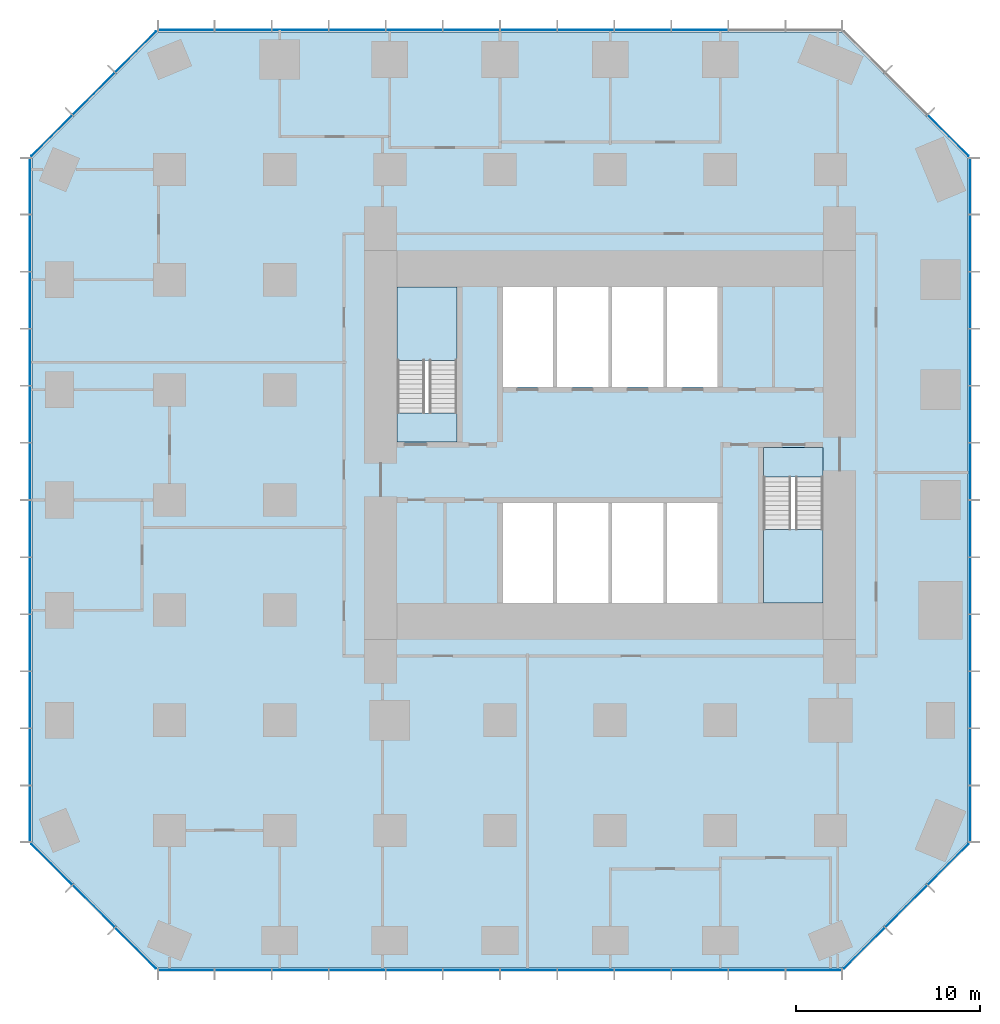
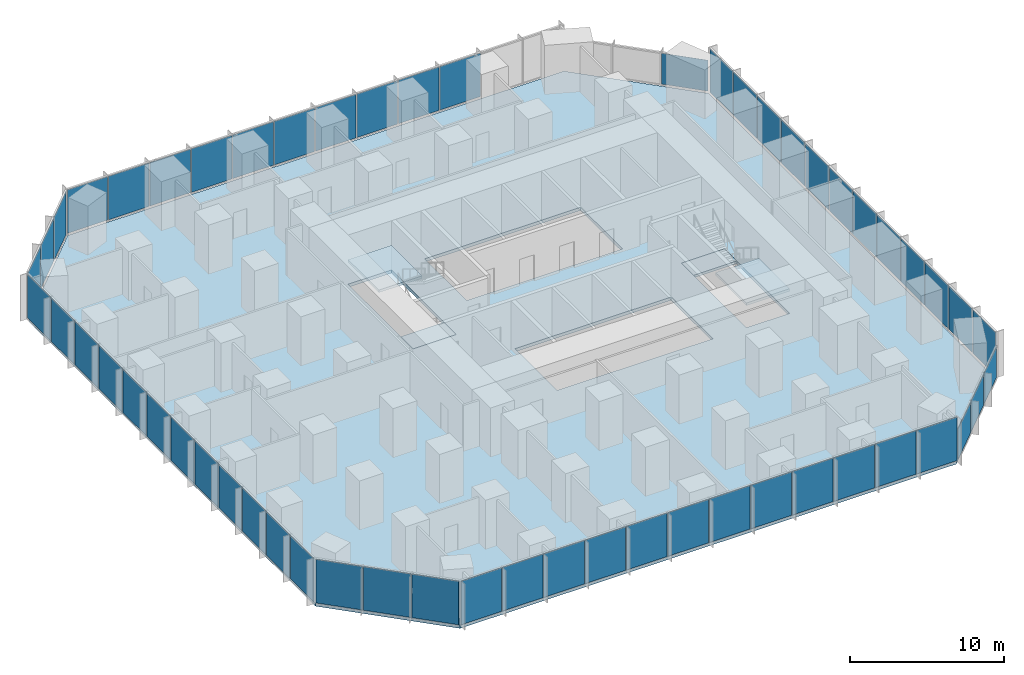
# One storey, part 7 of 12: 56 plates, 5 slabs, 10 elements without a shape of their own.
"""IFC4 building model written with IfcOpenShell, lengths in metres."""

from ifc_helpers import new_model, si_unit, direction, frame, origin, origin_2d, place, context, subcontext, project, spatial, polyline, rectangle, outline, extrude, material, layer, layer_set, type_object, element, aggregate, save


model = new_model("IFC4")

# Units and contexts
model_context = context("Model", 3, precision=1e-05, world=origin(), true_north=direction((0.0, 1.0)))
body_context = subcontext(model_context, "Body", "Model", "MODEL_VIEW")
ifc_project = project(units=[si_unit("LENGTHUNIT", "METRE"), si_unit("AREAUNIT", "SQUARE_METRE"), si_unit("VOLUMEUNIT", "CUBIC_METRE"), si_unit("PLANEANGLEUNIT", "RADIAN"), si_unit("MASSUNIT", "GRAM", prefix="KILO")], contexts=[model_context])

# Site, building, storey
site_placement = place(None, origin())
site = spatial("IfcSite", under=ifc_project, at=site_placement, CompositionType="ELEMENT")
building_placement = place(site_placement, origin())
building = spatial("IfcBuilding", under=site, at=building_placement, Name="Highveld Stack Headquarters", CompositionType="ELEMENT")
storey_placement = place(building_placement, frame((0.0, 0.0, 37.699951171875)))
storey = spatial("IfcBuildingStorey", under=building, at=storey_placement, Name="L08", CompositionType="ELEMENT", Elevation=37.699951171875)

# Curtain wall, plates
ifc_material_1 = material(Name="Aluminium bronze anodised", Category="aluminium")
ifc_layer_1 = layer(ifc_material_1, 0.199951171875)
ifc_layer_set_1 = layer_set([ifc_layer_1], Name="Aluminium bronze anodised")
curtain_wall_type_1 = type_object("IfcCurtainWallType", Name="CW1 TOWER UNITISED CURTAIN WALL", PredefinedType="NOTDEFINED", material=ifc_layer_set_1)
curtain_wall_1_placement = place(storey_placement, origin())
curtain_wall_1 = element("IfcCurtainWall", 1, at=curtain_wall_1_placement, inside=storey, type_object=curtain_wall_type_1, Name="Curtain wall CW1 L08 S", PredefinedType="NOTDEFINED")
ifc_material_2 = material(Name="Glass bronze tinted double glazed unit", Category="glass")
ifc_layer_2 = layer(ifc_material_2, 0.028076171875)
ifc_layer_set_2 = layer_set([ifc_layer_2], Name="Glass bronze tinted double glazed unit")
plate_type_1 = type_object("IfcPlateType", Name="CW1 PANEL BRONZE TINTED DOUBLE GLAZED UNIT", PredefinedType="CURTAIN_PANEL", material=ifc_layer_set_2)
plate_1_placement = place(storey_placement, frame((-17.09130859375, -25.60009765625, 0.10009765625), z_axis=(0.0, 0.0, 1.0), x_axis=(1.0, 0.0, 0.0)))
plate_1 = element("IfcPlate", 2, at=plate_1_placement, type_object=plate_type_1, Name="CW1 panel L08 1.1", PredefinedType="CURTAIN_PANEL", context=body_context, shape_type="SweptSolid", body=[
    extrude(rectangle(XDim=3.012939453125, YDim=0.028076171875, at=origin_2d()), origin(), (0.0, 0.0, 1.0), 3.449951171875),
])
plate_2_placement = place(storey_placement, frame((-13.9970703125, -25.60009765625, 0.10009765625), z_axis=(0.0, 0.0, 1.0), x_axis=(1.0, 0.0, 0.0)))
plate_2 = element("IfcPlate", 3, at=plate_2_placement, type_object=plate_type_1, Name="CW1 panel L08 2.1", PredefinedType="CURTAIN_PANEL", context=body_context, shape_type="SweptSolid", body=[
    extrude(rectangle(XDim=3.04541015625, YDim=0.028076171875, at=origin_2d()), origin(), (0.0, 0.0, 1.0), 3.449951171875),
])
plate_3_placement = place(storey_placement, frame((-10.88671875, -25.60009765625, 0.10009765625), z_axis=(0.0, 0.0, 1.0), x_axis=(1.0, 0.0, 0.0)))
plate_3 = element("IfcPlate", 4, at=plate_3_placement, type_object=plate_type_1, Name="CW1 panel L08 3.1", PredefinedType="CURTAIN_PANEL", context=body_context, shape_type="SweptSolid", body=[
    extrude(rectangle(XDim=3.04541015625, YDim=0.028076171875, at=origin_2d()), origin(), (0.0, 0.0, 1.0), 3.449951171875),
])
plate_4_placement = place(storey_placement, frame((-7.776123046875, -25.60009765625, 0.10009765625), z_axis=(0.0, 0.0, 1.0), x_axis=(1.0, 0.0, 0.0)))
plate_4 = element("IfcPlate", 5, at=plate_4_placement, type_object=plate_type_1, Name="CW1 panel L08 4.1", PredefinedType="CURTAIN_PANEL", context=body_context, shape_type="SweptSolid", body=[
    extrude(rectangle(XDim=3.04541015625, YDim=0.028076171875, at=origin_2d()), origin(), (0.0, 0.0, 1.0), 3.449951171875),
])
plate_5_placement = place(storey_placement, frame((-4.665771484375, -25.60009765625, 0.10009765625), z_axis=(0.0, 0.0, 1.0), x_axis=(1.0, 0.0, 0.0)))
plate_5 = element("IfcPlate", 6, at=plate_5_placement, type_object=plate_type_1, Name="CW1 panel L08 5.1", PredefinedType="CURTAIN_PANEL", context=body_context, shape_type="SweptSolid", body=[
    extrude(rectangle(XDim=3.04541015625, YDim=0.028076171875, at=origin_2d()), origin(), (0.0, 0.0, 1.0), 3.449951171875),
])
plate_6_placement = place(storey_placement, frame((-1.55517578125, -25.60009765625, 0.10009765625), z_axis=(0.0, 0.0, 1.0), x_axis=(1.0, 0.0, 0.0)))
plate_6 = element("IfcPlate", 7, at=plate_6_placement, type_object=plate_type_1, Name="CW1 panel L08 6.1", PredefinedType="CURTAIN_PANEL", context=body_context, shape_type="SweptSolid", body=[
    extrude(rectangle(XDim=3.04541015625, YDim=0.028076171875, at=origin_2d()), origin(), (0.0, 0.0, 1.0), 3.449951171875),
])
plate_7_placement = place(storey_placement, frame((1.55517578125, -25.60009765625, 0.10009765625), z_axis=(0.0, 0.0, 1.0), x_axis=(1.0, 0.0, 0.0)))
plate_7 = element("IfcPlate", 8, at=plate_7_placement, type_object=plate_type_1, Name="CW1 panel L08 7.1", PredefinedType="CURTAIN_PANEL", context=body_context, shape_type="SweptSolid", body=[
    extrude(rectangle(XDim=3.04541015625, YDim=0.028076171875, at=origin_2d()), origin(), (0.0, 0.0, 1.0), 3.449951171875),
])
plate_8_placement = place(storey_placement, frame((4.665771484375, -25.60009765625, 0.10009765625), z_axis=(0.0, 0.0, 1.0), x_axis=(1.0, 0.0, 0.0)))
plate_8 = element("IfcPlate", 9, at=plate_8_placement, type_object=plate_type_1, Name="CW1 panel L08 8.1", PredefinedType="CURTAIN_PANEL", context=body_context, shape_type="SweptSolid", body=[
    extrude(rectangle(XDim=3.04541015625, YDim=0.028076171875, at=origin_2d()), origin(), (0.0, 0.0, 1.0), 3.449951171875),
])
plate_9_placement = place(storey_placement, frame((7.776123046875, -25.60009765625, 0.10009765625), z_axis=(0.0, 0.0, 1.0), x_axis=(1.0, 0.0, 0.0)))
plate_9 = element("IfcPlate", 10, at=plate_9_placement, type_object=plate_type_1, Name="CW1 panel L08 9.1", PredefinedType="CURTAIN_PANEL", context=body_context, shape_type="SweptSolid", body=[
    extrude(rectangle(XDim=3.04541015625, YDim=0.028076171875, at=origin_2d()), origin(), (0.0, 0.0, 1.0), 3.449951171875),
])
plate_10_placement = place(storey_placement, frame((10.88671875, -25.60009765625, 0.10009765625), z_axis=(0.0, 0.0, 1.0), x_axis=(1.0, 0.0, 0.0)))
plate_10 = element("IfcPlate", 11, at=plate_10_placement, type_object=plate_type_1, Name="CW1 panel L08 10.1", PredefinedType="CURTAIN_PANEL", context=body_context, shape_type="SweptSolid", body=[
    extrude(rectangle(XDim=3.04541015625, YDim=0.028076171875, at=origin_2d()), origin(), (0.0, 0.0, 1.0), 3.449951171875),
])
plate_11_placement = place(storey_placement, frame((13.9970703125, -25.60009765625, 0.10009765625), z_axis=(0.0, 0.0, 1.0), x_axis=(1.0, 0.0, 0.0)))
plate_11 = element("IfcPlate", 12, at=plate_11_placement, type_object=plate_type_1, Name="CW1 panel L08 11.1", PredefinedType="CURTAIN_PANEL", context=body_context, shape_type="SweptSolid", body=[
    extrude(rectangle(XDim=3.04541015625, YDim=0.028076171875, at=origin_2d()), origin(), (0.0, 0.0, 1.0), 3.449951171875),
])
plate_12_placement = place(storey_placement, frame((17.09130859375, -25.60009765625, 0.10009765625), z_axis=(0.0, 0.0, 1.0), x_axis=(1.0, 0.0, 0.0)))
plate_12 = element("IfcPlate", 13, at=plate_12_placement, type_object=plate_type_1, Name="CW1 panel L08 12.1", PredefinedType="CURTAIN_PANEL", context=body_context, shape_type="SweptSolid", body=[
    extrude(rectangle(XDim=3.012939453125, YDim=0.028076171875, at=origin_2d()), origin(), (0.0, 0.0, 1.0), 3.449951171875),
])
aggregate(curtain_wall_1, [plate_1, plate_2, plate_3, plate_4, plate_5, plate_6, plate_7, plate_8, plate_9, plate_10, plate_11, plate_12])

curtain_wall_2_placement = place(storey_placement, origin())
curtain_wall_2 = element("IfcCurtainWall", 14, at=curtain_wall_2_placement, inside=storey, type_object=curtain_wall_type_1, Name="Curtain wall CW1 L08 E", PredefinedType="NOTDEFINED")
plate_13_placement = place(storey_placement, frame((25.60009765625, -17.09130859375, 0.10009765625), z_axis=(0.0, 0.0, 1.0), x_axis=(0.0, 1.0, 0.0)))
plate_13 = element("IfcPlate", 15, at=plate_13_placement, type_object=plate_type_1, Name="CW1 panel L08 1.1", PredefinedType="CURTAIN_PANEL", context=body_context, shape_type="SweptSolid", body=[
    extrude(rectangle(XDim=3.012939453125, YDim=0.028076171875, at=origin_2d()), origin(), (0.0, 0.0, 1.0), 3.449951171875),
])
plate_14_placement = place(storey_placement, frame((25.60009765625, -13.9970703125, 0.10009765625), z_axis=(0.0, 0.0, 1.0), x_axis=(0.0, 1.0, 0.0)))
plate_14 = element("IfcPlate", 16, at=plate_14_placement, type_object=plate_type_1, Name="CW1 panel L08 2.1", PredefinedType="CURTAIN_PANEL", context=body_context, shape_type="SweptSolid", body=[
    extrude(rectangle(XDim=3.04541015625, YDim=0.028076171875, at=origin_2d()), origin(), (0.0, 0.0, 1.0), 3.449951171875),
])
plate_15_placement = place(storey_placement, frame((25.60009765625, -10.88671875, 0.10009765625), z_axis=(0.0, 0.0, 1.0), x_axis=(0.0, 1.0, 0.0)))
plate_15 = element("IfcPlate", 17, at=plate_15_placement, type_object=plate_type_1, Name="CW1 panel L08 3.1", PredefinedType="CURTAIN_PANEL", context=body_context, shape_type="SweptSolid", body=[
    extrude(rectangle(XDim=3.04541015625, YDim=0.028076171875, at=origin_2d()), origin(), (0.0, 0.0, 1.0), 3.449951171875),
])
plate_16_placement = place(storey_placement, frame((25.60009765625, -7.776123046875, 0.10009765625), z_axis=(0.0, 0.0, 1.0), x_axis=(0.0, 1.0, 0.0)))
plate_16 = element("IfcPlate", 18, at=plate_16_placement, type_object=plate_type_1, Name="CW1 panel L08 4.1", PredefinedType="CURTAIN_PANEL", context=body_context, shape_type="SweptSolid", body=[
    extrude(rectangle(XDim=3.04541015625, YDim=0.028076171875, at=origin_2d()), origin(), (0.0, 0.0, 1.0), 3.449951171875),
])
plate_17_placement = place(storey_placement, frame((25.60009765625, -4.665771484375, 0.10009765625), z_axis=(0.0, 0.0, 1.0), x_axis=(0.0, 1.0, 0.0)))
plate_17 = element("IfcPlate", 19, at=plate_17_placement, type_object=plate_type_1, Name="CW1 panel L08 5.1", PredefinedType="CURTAIN_PANEL", context=body_context, shape_type="SweptSolid", body=[
    extrude(rectangle(XDim=3.04541015625, YDim=0.028076171875, at=origin_2d()), origin(), (0.0, 0.0, 1.0), 3.449951171875),
])
plate_18_placement = place(storey_placement, frame((25.60009765625, -1.55517578125, 0.10009765625), z_axis=(0.0, 0.0, 1.0), x_axis=(0.0, 1.0, 0.0)))
plate_18 = element("IfcPlate", 20, at=plate_18_placement, type_object=plate_type_1, Name="CW1 panel L08 6.1", PredefinedType="CURTAIN_PANEL", context=body_context, shape_type="SweptSolid", body=[
    extrude(rectangle(XDim=3.04541015625, YDim=0.028076171875, at=origin_2d()), origin(), (0.0, 0.0, 1.0), 3.449951171875),
])
plate_19_placement = place(storey_placement, frame((25.60009765625, 1.55517578125, 0.10009765625), z_axis=(0.0, 0.0, 1.0), x_axis=(0.0, 1.0, 0.0)))
plate_19 = element("IfcPlate", 21, at=plate_19_placement, type_object=plate_type_1, Name="CW1 panel L08 7.1", PredefinedType="CURTAIN_PANEL", context=body_context, shape_type="SweptSolid", body=[
    extrude(rectangle(XDim=3.04541015625, YDim=0.028076171875, at=origin_2d()), origin(), (0.0, 0.0, 1.0), 3.449951171875),
])
plate_20_placement = place(storey_placement, frame((25.60009765625, 4.665771484375, 0.10009765625), z_axis=(0.0, 0.0, 1.0), x_axis=(0.0, 1.0, 0.0)))
plate_20 = element("IfcPlate", 22, at=plate_20_placement, type_object=plate_type_1, Name="CW1 panel L08 8.1", PredefinedType="CURTAIN_PANEL", context=body_context, shape_type="SweptSolid", body=[
    extrude(rectangle(XDim=3.04541015625, YDim=0.028076171875, at=origin_2d()), origin(), (0.0, 0.0, 1.0), 3.449951171875),
])
plate_21_placement = place(storey_placement, frame((25.60009765625, 7.776123046875, 0.10009765625), z_axis=(0.0, 0.0, 1.0), x_axis=(0.0, 1.0, 0.0)))
plate_21 = element("IfcPlate", 23, at=plate_21_placement, type_object=plate_type_1, Name="CW1 panel L08 9.1", PredefinedType="CURTAIN_PANEL", context=body_context, shape_type="SweptSolid", body=[
    extrude(rectangle(XDim=3.04541015625, YDim=0.028076171875, at=origin_2d()), origin(), (0.0, 0.0, 1.0), 3.449951171875),
])
plate_22_placement = place(storey_placement, frame((25.60009765625, 10.88671875, 0.10009765625), z_axis=(0.0, 0.0, 1.0), x_axis=(0.0, 1.0, 0.0)))
plate_22 = element("IfcPlate", 24, at=plate_22_placement, type_object=plate_type_1, Name="CW1 panel L08 10.1", PredefinedType="CURTAIN_PANEL", context=body_context, shape_type="SweptSolid", body=[
    extrude(rectangle(XDim=3.04541015625, YDim=0.028076171875, at=origin_2d()), origin(), (0.0, 0.0, 1.0), 3.449951171875),
])
plate_23_placement = place(storey_placement, frame((25.60009765625, 13.9970703125, 0.10009765625), z_axis=(0.0, 0.0, 1.0), x_axis=(0.0, 1.0, 0.0)))
plate_23 = element("IfcPlate", 25, at=plate_23_placement, type_object=plate_type_1, Name="CW1 panel L08 11.1", PredefinedType="CURTAIN_PANEL", context=body_context, shape_type="SweptSolid", body=[
    extrude(rectangle(XDim=3.04541015625, YDim=0.028076171875, at=origin_2d()), origin(), (0.0, 0.0, 1.0), 3.449951171875),
])
plate_24_placement = place(storey_placement, frame((25.60009765625, 17.09130859375, 0.10009765625), z_axis=(0.0, 0.0, 1.0), x_axis=(0.0, 1.0, 0.0)))
plate_24 = element("IfcPlate", 26, at=plate_24_placement, type_object=plate_type_1, Name="CW1 panel L08 12.1", PredefinedType="CURTAIN_PANEL", context=body_context, shape_type="SweptSolid", body=[
    extrude(rectangle(XDim=3.012939453125, YDim=0.028076171875, at=origin_2d()), origin(), (0.0, 0.0, 1.0), 3.449951171875),
])
aggregate(curtain_wall_2, [plate_13, plate_14, plate_15, plate_16, plate_17, plate_18, plate_19, plate_20, plate_21, plate_22, plate_23, plate_24])

curtain_wall_3_placement = place(storey_placement, origin())
curtain_wall_3 = element("IfcCurtainWall", 27, at=curtain_wall_3_placement, inside=storey, type_object=curtain_wall_type_1, Name="Curtain wall CW1 L08 N", PredefinedType="NOTDEFINED")
plate_25_placement = place(storey_placement, frame((10.88671875, 25.60009765625, 0.10009765625), z_axis=(0.0, 0.0, 1.0), x_axis=(-1.0, 0.0, 0.0)))
plate_25 = element("IfcPlate", 28, at=plate_25_placement, type_object=plate_type_1, Name="CW1 panel L08 3.1", PredefinedType="CURTAIN_PANEL", context=body_context, shape_type="SweptSolid", body=[
    extrude(rectangle(XDim=3.04541015625, YDim=0.028076171875, at=origin_2d()), origin(), (0.0, 0.0, 1.0), 3.449951171875),
])
plate_26_placement = place(storey_placement, frame((7.776123046875, 25.60009765625, 0.10009765625), z_axis=(0.0, 0.0, 1.0), x_axis=(-1.0, 0.0, 0.0)))
plate_26 = element("IfcPlate", 29, at=plate_26_placement, type_object=plate_type_1, Name="CW1 panel L08 4.1", PredefinedType="CURTAIN_PANEL", context=body_context, shape_type="SweptSolid", body=[
    extrude(rectangle(XDim=3.04541015625, YDim=0.028076171875, at=origin_2d()), origin(), (0.0, 0.0, 1.0), 3.449951171875),
])
plate_27_placement = place(storey_placement, frame((4.665771484375, 25.60009765625, 0.10009765625), z_axis=(0.0, 0.0, 1.0), x_axis=(-1.0, 0.0, 0.0)))
plate_27 = element("IfcPlate", 30, at=plate_27_placement, type_object=plate_type_1, Name="CW1 panel L08 5.1", PredefinedType="CURTAIN_PANEL", context=body_context, shape_type="SweptSolid", body=[
    extrude(rectangle(XDim=3.04541015625, YDim=0.028076171875, at=origin_2d()), origin(), (0.0, 0.0, 1.0), 3.449951171875),
])
plate_28_placement = place(storey_placement, frame((1.55517578125, 25.60009765625, 0.10009765625), z_axis=(0.0, 0.0, 1.0), x_axis=(-1.0, 0.0, 0.0)))
plate_28 = element("IfcPlate", 31, at=plate_28_placement, type_object=plate_type_1, Name="CW1 panel L08 6.1", PredefinedType="CURTAIN_PANEL", context=body_context, shape_type="SweptSolid", body=[
    extrude(rectangle(XDim=3.04541015625, YDim=0.028076171875, at=origin_2d()), origin(), (0.0, 0.0, 1.0), 3.449951171875),
])
plate_29_placement = place(storey_placement, frame((-1.55517578125, 25.60009765625, 0.10009765625), z_axis=(0.0, 0.0, 1.0), x_axis=(-1.0, 0.0, 0.0)))
plate_29 = element("IfcPlate", 32, at=plate_29_placement, type_object=plate_type_1, Name="CW1 panel L08 7.1", PredefinedType="CURTAIN_PANEL", context=body_context, shape_type="SweptSolid", body=[
    extrude(rectangle(XDim=3.04541015625, YDim=0.028076171875, at=origin_2d()), origin(), (0.0, 0.0, 1.0), 3.449951171875),
])
plate_30_placement = place(storey_placement, frame((-4.665771484375, 25.60009765625, 0.10009765625), z_axis=(0.0, 0.0, 1.0), x_axis=(-1.0, 0.0, 0.0)))
plate_30 = element("IfcPlate", 33, at=plate_30_placement, type_object=plate_type_1, Name="CW1 panel L08 8.1", PredefinedType="CURTAIN_PANEL", context=body_context, shape_type="SweptSolid", body=[
    extrude(rectangle(XDim=3.04541015625, YDim=0.028076171875, at=origin_2d()), origin(), (0.0, 0.0, 1.0), 3.449951171875),
])
plate_31_placement = place(storey_placement, frame((-7.776123046875, 25.60009765625, 0.10009765625), z_axis=(0.0, 0.0, 1.0), x_axis=(-1.0, 0.0, 0.0)))
plate_31 = element("IfcPlate", 34, at=plate_31_placement, type_object=plate_type_1, Name="CW1 panel L08 9.1", PredefinedType="CURTAIN_PANEL", context=body_context, shape_type="SweptSolid", body=[
    extrude(rectangle(XDim=3.04541015625, YDim=0.028076171875, at=origin_2d()), origin(), (0.0, 0.0, 1.0), 3.449951171875),
])
plate_32_placement = place(storey_placement, frame((-10.88671875, 25.60009765625, 0.10009765625), z_axis=(0.0, 0.0, 1.0), x_axis=(-1.0, 0.0, 0.0)))
plate_32 = element("IfcPlate", 35, at=plate_32_placement, type_object=plate_type_1, Name="CW1 panel L08 10.1", PredefinedType="CURTAIN_PANEL", context=body_context, shape_type="SweptSolid", body=[
    extrude(rectangle(XDim=3.04541015625, YDim=0.028076171875, at=origin_2d()), origin(), (0.0, 0.0, 1.0), 3.449951171875),
])
plate_33_placement = place(storey_placement, frame((-13.9970703125, 25.60009765625, 0.10009765625), z_axis=(0.0, 0.0, 1.0), x_axis=(-1.0, 0.0, 0.0)))
plate_33 = element("IfcPlate", 36, at=plate_33_placement, type_object=plate_type_1, Name="CW1 panel L08 11.1", PredefinedType="CURTAIN_PANEL", context=body_context, shape_type="SweptSolid", body=[
    extrude(rectangle(XDim=3.04541015625, YDim=0.028076171875, at=origin_2d()), origin(), (0.0, 0.0, 1.0), 3.449951171875),
])
plate_34_placement = place(storey_placement, frame((-17.09130859375, 25.60009765625, 0.10009765625), z_axis=(0.0, 0.0, 1.0), x_axis=(-1.0, 0.0, 0.0)))
plate_34 = element("IfcPlate", 37, at=plate_34_placement, type_object=plate_type_1, Name="CW1 panel L08 12.1", PredefinedType="CURTAIN_PANEL", context=body_context, shape_type="SweptSolid", body=[
    extrude(rectangle(XDim=3.012939453125, YDim=0.028076171875, at=origin_2d()), origin(), (0.0, 0.0, 1.0), 3.449951171875),
])
aggregate(curtain_wall_3, [plate_25, plate_26, plate_27, plate_28, plate_29, plate_30, plate_31, plate_32, plate_33, plate_34])

curtain_wall_4_placement = place(storey_placement, origin())
curtain_wall_4 = element("IfcCurtainWall", 38, at=curtain_wall_4_placement, inside=storey, type_object=curtain_wall_type_1, Name="Curtain wall CW1 L08 W", PredefinedType="NOTDEFINED")
plate_35_placement = place(storey_placement, frame((-25.60009765625, 17.09130859375, 0.10009765625), z_axis=(0.0, 0.0, 1.0), x_axis=(0.0, -1.0, 0.0)))
plate_35 = element("IfcPlate", 39, at=plate_35_placement, type_object=plate_type_1, Name="CW1 panel L08 1.1", PredefinedType="CURTAIN_PANEL", context=body_context, shape_type="SweptSolid", body=[
    extrude(rectangle(XDim=3.012939453125, YDim=0.028076171875, at=origin_2d()), origin(), (0.0, 0.0, 1.0), 3.449951171875),
])
plate_36_placement = place(storey_placement, frame((-25.60009765625, 13.9970703125, 0.10009765625), z_axis=(0.0, 0.0, 1.0), x_axis=(0.0, -1.0, 0.0)))
plate_36 = element("IfcPlate", 40, at=plate_36_placement, type_object=plate_type_1, Name="CW1 panel L08 2.1", PredefinedType="CURTAIN_PANEL", context=body_context, shape_type="SweptSolid", body=[
    extrude(rectangle(XDim=3.04541015625, YDim=0.028076171875, at=origin_2d()), origin(), (0.0, 0.0, 1.0), 3.449951171875),
])
plate_37_placement = place(storey_placement, frame((-25.60009765625, 10.88671875, 0.10009765625), z_axis=(0.0, 0.0, 1.0), x_axis=(0.0, -1.0, 0.0)))
plate_37 = element("IfcPlate", 41, at=plate_37_placement, type_object=plate_type_1, Name="CW1 panel L08 3.1", PredefinedType="CURTAIN_PANEL", context=body_context, shape_type="SweptSolid", body=[
    extrude(rectangle(XDim=3.04541015625, YDim=0.028076171875, at=origin_2d()), origin(), (0.0, 0.0, 1.0), 3.449951171875),
])
plate_38_placement = place(storey_placement, frame((-25.60009765625, 7.776123046875, 0.10009765625), z_axis=(0.0, 0.0, 1.0), x_axis=(0.0, -1.0, 0.0)))
plate_38 = element("IfcPlate", 42, at=plate_38_placement, type_object=plate_type_1, Name="CW1 panel L08 4.1", PredefinedType="CURTAIN_PANEL", context=body_context, shape_type="SweptSolid", body=[
    extrude(rectangle(XDim=3.04541015625, YDim=0.028076171875, at=origin_2d()), origin(), (0.0, 0.0, 1.0), 3.449951171875),
])
plate_39_placement = place(storey_placement, frame((-25.60009765625, 4.665771484375, 0.10009765625), z_axis=(0.0, 0.0, 1.0), x_axis=(0.0, -1.0, 0.0)))
plate_39 = element("IfcPlate", 43, at=plate_39_placement, type_object=plate_type_1, Name="CW1 panel L08 5.1", PredefinedType="CURTAIN_PANEL", context=body_context, shape_type="SweptSolid", body=[
    extrude(rectangle(XDim=3.04541015625, YDim=0.028076171875, at=origin_2d()), origin(), (0.0, 0.0, 1.0), 3.449951171875),
])
plate_40_placement = place(storey_placement, frame((-25.60009765625, 1.55517578125, 0.10009765625), z_axis=(0.0, 0.0, 1.0), x_axis=(0.0, -1.0, 0.0)))
plate_40 = element("IfcPlate", 44, at=plate_40_placement, type_object=plate_type_1, Name="CW1 panel L08 6.1", PredefinedType="CURTAIN_PANEL", context=body_context, shape_type="SweptSolid", body=[
    extrude(rectangle(XDim=3.04541015625, YDim=0.028076171875, at=origin_2d()), origin(), (0.0, 0.0, 1.0), 3.449951171875),
])
plate_41_placement = place(storey_placement, frame((-25.60009765625, -1.55517578125, 0.10009765625), z_axis=(0.0, 0.0, 1.0), x_axis=(0.0, -1.0, 0.0)))
plate_41 = element("IfcPlate", 45, at=plate_41_placement, type_object=plate_type_1, Name="CW1 panel L08 7.1", PredefinedType="CURTAIN_PANEL", context=body_context, shape_type="SweptSolid", body=[
    extrude(rectangle(XDim=3.04541015625, YDim=0.028076171875, at=origin_2d()), origin(), (0.0, 0.0, 1.0), 3.449951171875),
])
plate_42_placement = place(storey_placement, frame((-25.60009765625, -4.665771484375, 0.10009765625), z_axis=(0.0, 0.0, 1.0), x_axis=(0.0, -1.0, 0.0)))
plate_42 = element("IfcPlate", 46, at=plate_42_placement, type_object=plate_type_1, Name="CW1 panel L08 8.1", PredefinedType="CURTAIN_PANEL", context=body_context, shape_type="SweptSolid", body=[
    extrude(rectangle(XDim=3.04541015625, YDim=0.028076171875, at=origin_2d()), origin(), (0.0, 0.0, 1.0), 3.449951171875),
])
plate_43_placement = place(storey_placement, frame((-25.60009765625, -7.776123046875, 0.10009765625), z_axis=(0.0, 0.0, 1.0), x_axis=(0.0, -1.0, 0.0)))
plate_43 = element("IfcPlate", 47, at=plate_43_placement, type_object=plate_type_1, Name="CW1 panel L08 9.1", PredefinedType="CURTAIN_PANEL", context=body_context, shape_type="SweptSolid", body=[
    extrude(rectangle(XDim=3.04541015625, YDim=0.028076171875, at=origin_2d()), origin(), (0.0, 0.0, 1.0), 3.449951171875),
])
plate_44_placement = place(storey_placement, frame((-25.60009765625, -10.88671875, 0.10009765625), z_axis=(0.0, 0.0, 1.0), x_axis=(0.0, -1.0, 0.0)))
plate_44 = element("IfcPlate", 48, at=plate_44_placement, type_object=plate_type_1, Name="CW1 panel L08 10.1", PredefinedType="CURTAIN_PANEL", context=body_context, shape_type="SweptSolid", body=[
    extrude(rectangle(XDim=3.04541015625, YDim=0.028076171875, at=origin_2d()), origin(), (0.0, 0.0, 1.0), 3.449951171875),
])
plate_45_placement = place(storey_placement, frame((-25.60009765625, -13.9970703125, 0.10009765625), z_axis=(0.0, 0.0, 1.0), x_axis=(0.0, -1.0, 0.0)))
plate_45 = element("IfcPlate", 49, at=plate_45_placement, type_object=plate_type_1, Name="CW1 panel L08 11.1", PredefinedType="CURTAIN_PANEL", context=body_context, shape_type="SweptSolid", body=[
    extrude(rectangle(XDim=3.04541015625, YDim=0.028076171875, at=origin_2d()), origin(), (0.0, 0.0, 1.0), 3.449951171875),
])
plate_46_placement = place(storey_placement, frame((-25.60009765625, -17.09130859375, 0.10009765625), z_axis=(0.0, 0.0, 1.0), x_axis=(0.0, -1.0, 0.0)))
plate_46 = element("IfcPlate", 50, at=plate_46_placement, type_object=plate_type_1, Name="CW1 panel L08 12.1", PredefinedType="CURTAIN_PANEL", context=body_context, shape_type="SweptSolid", body=[
    extrude(rectangle(XDim=3.012939453125, YDim=0.028076171875, at=origin_2d()), origin(), (0.0, 0.0, 1.0), 3.449951171875),
])
aggregate(curtain_wall_4, [plate_35, plate_36, plate_37, plate_38, plate_39, plate_40, plate_41, plate_42, plate_43, plate_44, plate_45, plate_46])

ifc_material_3 = material(Name="Aluminium bronze anodised", Category="aluminium")
ifc_layer_3 = layer(ifc_material_3, 0.199951171875)
ifc_layer_set_3 = layer_set([ifc_layer_3], Name="Aluminium bronze anodised")
curtain_wall_type_2 = type_object("IfcCurtainWallType", Name="CW2 TOWER CHAMFER UNITISED CURTAIN WALL", PredefinedType="NOTDEFINED", material=ifc_layer_set_3)
curtain_wall_5_placement = place(storey_placement, origin())
curtain_wall_5 = element("IfcCurtainWall", 51, at=curtain_wall_5_placement, inside=storey, type_object=curtain_wall_type_2, Name="Curtain wall CW2 L08 SE", PredefinedType="NOTDEFINED")
ifc_material_4 = material(Name="Glass bronze tinted double glazed unit", Category="glass")
ifc_layer_4 = layer(ifc_material_4, 0.028076171875)
ifc_layer_set_4 = layer_set([ifc_layer_4], Name="Glass bronze tinted double glazed unit")
plate_type_2 = type_object("IfcPlateType", Name="CW2 PANEL BRONZE TINTED DOUBLE GLAZED UNIT", PredefinedType="CURTAIN_PANEL", material=ifc_layer_set_4)
plate_47_placement = place(storey_placement, frame((19.8427734375, -24.419921875, 0.10009765625), z_axis=(0.0, 0.0, 1.0), x_axis=(0.707106781187, 0.707106781187, 0.0)))
plate_47 = element("IfcPlate", 52, at=plate_47_placement, type_object=plate_type_2, Name="CW2 panel L08 1.1", PredefinedType="CURTAIN_PANEL", context=body_context, shape_type="SweptSolid", body=[
    extrude(rectangle(XDim=3.1376953125, YDim=0.028076171875, at=origin_2d()), origin(), (0.0, 0.0, 1.0), 2.449951171875),
])
plate_48_placement = place(storey_placement, frame((22.13134765625, -22.13134765625, 0.10009765625), z_axis=(0.0, 0.0, 1.0), x_axis=(0.707106781187, 0.707106781187, 0.0)))
plate_48 = element("IfcPlate", 53, at=plate_48_placement, type_object=plate_type_2, Name="CW2 panel L08 2.1", PredefinedType="CURTAIN_PANEL", context=body_context, shape_type="SweptSolid", body=[
    extrude(rectangle(XDim=3.205322265625, YDim=0.028076171875, at=origin_2d()), origin(), (0.0, 0.0, 1.0), 2.449951171875),
])
plate_49_placement = place(storey_placement, frame((24.419921875, -19.8427734375, 0.10009765625), z_axis=(0.0, 0.0, 1.0), x_axis=(0.707106781187, 0.707106781187, 0.0)))
plate_49 = element("IfcPlate", 54, at=plate_49_placement, type_object=plate_type_2, Name="CW2 panel L08 3.1", PredefinedType="CURTAIN_PANEL", context=body_context, shape_type="SweptSolid", body=[
    extrude(rectangle(XDim=3.1376953125, YDim=0.028076171875, at=origin_2d()), origin(), (0.0, 0.0, 1.0), 2.449951171875),
])
aggregate(curtain_wall_5, [plate_47, plate_48, plate_49])

# Curtain wall, plate
curtain_wall_6_placement = place(storey_placement, origin())
curtain_wall_6 = element("IfcCurtainWall", 55, at=curtain_wall_6_placement, inside=storey, type_object=curtain_wall_type_2, Name="Curtain wall CW2 L08 NE", PredefinedType="NOTDEFINED")
plate_50_placement = place(storey_placement, frame((24.419921875, 19.8427734375, 0.10009765625), z_axis=(0.0, 0.0, 1.0), x_axis=(-0.707106781187, 0.707106781187, 0.0)))
plate_50 = element("IfcPlate", 56, at=plate_50_placement, type_object=plate_type_2, Name="CW2 panel L08 1.1", PredefinedType="CURTAIN_PANEL", context=body_context, shape_type="SweptSolid", body=[
    extrude(rectangle(XDim=3.1376953125, YDim=0.028076171875, at=origin_2d()), origin(), (0.0, 0.0, 1.0), 2.449951171875),
])
aggregate(curtain_wall_6, [plate_50])

# Curtain wall, plates
curtain_wall_7_placement = place(storey_placement, origin())
curtain_wall_7 = element("IfcCurtainWall", 57, at=curtain_wall_7_placement, inside=storey, type_object=curtain_wall_type_2, Name="Curtain wall CW2 L08 NW", PredefinedType="NOTDEFINED")
plate_51_placement = place(storey_placement, frame((-19.8427734375, 24.419921875, 0.10009765625), z_axis=(0.0, 0.0, 1.0), x_axis=(-0.707106781187, -0.707106781187, 0.0)))
plate_51 = element("IfcPlate", 58, at=plate_51_placement, type_object=plate_type_2, Name="CW2 panel L08 1.1", PredefinedType="CURTAIN_PANEL", context=body_context, shape_type="SweptSolid", body=[
    extrude(rectangle(XDim=3.1376953125, YDim=0.028076171875, at=origin_2d()), origin(), (0.0, 0.0, 1.0), 3.449951171875),
])
plate_52_placement = place(storey_placement, frame((-22.13134765625, 22.13134765625, 0.10009765625), z_axis=(0.0, 0.0, 1.0), x_axis=(-0.707106781187, -0.707106781187, 0.0)))
plate_52 = element("IfcPlate", 59, at=plate_52_placement, type_object=plate_type_2, Name="CW2 panel L08 2.1", PredefinedType="CURTAIN_PANEL", context=body_context, shape_type="SweptSolid", body=[
    extrude(rectangle(XDim=3.205322265625, YDim=0.028076171875, at=origin_2d()), origin(), (0.0, 0.0, 1.0), 3.449951171875),
])
plate_53_placement = place(storey_placement, frame((-24.419921875, 19.8427734375, 0.10009765625), z_axis=(0.0, 0.0, 1.0), x_axis=(-0.707106781187, -0.707106781187, 0.0)))
plate_53 = element("IfcPlate", 60, at=plate_53_placement, type_object=plate_type_2, Name="CW2 panel L08 3.1", PredefinedType="CURTAIN_PANEL", context=body_context, shape_type="SweptSolid", body=[
    extrude(rectangle(XDim=3.1376953125, YDim=0.028076171875, at=origin_2d()), origin(), (0.0, 0.0, 1.0), 3.449951171875),
])
aggregate(curtain_wall_7, [plate_51, plate_52, plate_53])

curtain_wall_8_placement = place(storey_placement, origin())
curtain_wall_8 = element("IfcCurtainWall", 61, at=curtain_wall_8_placement, inside=storey, type_object=curtain_wall_type_2, Name="Curtain wall CW2 L08 SW", PredefinedType="NOTDEFINED")
plate_54_placement = place(storey_placement, frame((-24.419921875, -19.8427734375, 0.10009765625), z_axis=(0.0, 0.0, 1.0), x_axis=(0.707106781187, -0.707106781187, 0.0)))
plate_54 = element("IfcPlate", 62, at=plate_54_placement, type_object=plate_type_2, Name="CW2 panel L08 1.1", PredefinedType="CURTAIN_PANEL", context=body_context, shape_type="SweptSolid", body=[
    extrude(rectangle(XDim=3.1376953125, YDim=0.028076171875, at=origin_2d()), origin(), (0.0, 0.0, 1.0), 3.449951171875),
])
plate_55_placement = place(storey_placement, frame((-22.13134765625, -22.13134765625, 0.10009765625), z_axis=(0.0, 0.0, 1.0), x_axis=(0.707106781187, -0.707106781187, 0.0)))
plate_55 = element("IfcPlate", 63, at=plate_55_placement, type_object=plate_type_2, Name="CW2 panel L08 2.1", PredefinedType="CURTAIN_PANEL", context=body_context, shape_type="SweptSolid", body=[
    extrude(rectangle(XDim=3.205322265625, YDim=0.028076171875, at=origin_2d()), origin(), (0.0, 0.0, 1.0), 3.449951171875),
])
plate_56_placement = place(storey_placement, frame((-19.8427734375, -24.419921875, 0.10009765625), z_axis=(0.0, 0.0, 1.0), x_axis=(0.707106781187, -0.707106781187, 0.0)))
plate_56 = element("IfcPlate", 64, at=plate_56_placement, type_object=plate_type_2, Name="CW2 panel L08 3.1", PredefinedType="CURTAIN_PANEL", context=body_context, shape_type="SweptSolid", body=[
    extrude(rectangle(XDim=3.1376953125, YDim=0.028076171875, at=origin_2d()), origin(), (0.0, 0.0, 1.0), 3.449951171875),
])
aggregate(curtain_wall_8, [plate_54, plate_55, plate_56])

# Slab
ifc_material_5 = material(Name="Concrete C60/75", Category="concrete")
ifc_layer_5 = layer(ifc_material_5, 0.25)
ifc_layer_set_5 = layer_set([ifc_layer_5], Name="Concrete C60/75")
slab_type_1 = type_object("IfcSlabType", Name="PT FLAT SLAB 250", PredefinedType="FLOOR", material=ifc_layer_set_5)
slab_1_placement = place(storey_placement, frame((0.0, 0.0, -0.25)))
element("IfcSlab", 65, at=slab_1_placement, inside=storey, type_object=slab_type_1, Name="Floor slab L08", PredefinedType="FLOOR", context=body_context, shape_type="SweptSolid", body=[
    extrude(outline(polyline([(-18.621337890625, -25.5), (18.621337890625, -25.5), (25.5, -18.621337890625), (25.5, 18.621337890625), (18.621337890625, 25.5), (-18.621337890625, 25.5), (-25.5, 18.621337890625), (-25.5, -18.621337890625), (-18.621337890625, -25.5)]), holes=[polyline([(0.14990234375, 6.14990234375), (11.85009765625, 6.14990234375), (11.85009765625, 11.60009765625), (0.14990234375, 11.60009765625), (0.14990234375, 6.14990234375)]), polyline([(0.14990234375, -5.60009765625), (11.85009765625, -5.60009765625), (11.85009765625, -0.14990234375), (0.14990234375, -0.14990234375), (0.14990234375, -5.60009765625)]), polyline([(-5.60009765625, 3.14990234375), (-2.35009765625, 3.14990234375), (-2.35009765625, 11.60009765625), (-5.60009765625, 11.60009765625), (-5.60009765625, 3.14990234375)]), polyline([(14.35009765625, -5.60009765625), (17.60009765625, -5.60009765625), (17.60009765625, 2.85009765625), (14.35009765625, 2.85009765625), (14.35009765625, -5.60009765625)])]), origin(), (0.0, 0.0, 1.0), 0.25),
])

# Stair, slabs
ifc_material_6 = material(Name="Concrete C40/50, precast", Category="concrete")
stair_type_1 = type_object("IfcStairType", Name="STAIR S1 HALF TURN 1500", PredefinedType="HALF_TURN_STAIR", material=ifc_material_6)
stair_1_placement = place(storey_placement, origin())
stair_1 = element("IfcStair", 66, at=stair_1_placement, inside=storey, type_object=stair_type_1, Name="Stair S1 L08", PredefinedType="HALF_TURN_STAIR")
ifc_material_7 = material(Name="Concrete C40/50, precast", Category="concrete")
ifc_layer_6 = layer(ifc_material_7, 0.199951171875)
ifc_layer_set_6 = layer_set([ifc_layer_6], Name="Concrete C40/50, precast")
slab_type_2 = type_object("IfcSlabType", Name="STAIR LANDING 200", PredefinedType="LANDING", material=ifc_layer_set_6)
slab_2_placement = place(storey_placement, frame((0.0, 0.0, 1.75)))
slab_2 = element("IfcSlab", 67, at=slab_2_placement, type_object=slab_type_2, Name="S1 landing 1", PredefinedType="LANDING", context=body_context, shape_type="SweptSolid", body=[
    extrude(outline(polyline([(-5.60009765625, 7.610107421875), (-2.35009765625, 7.610107421875), (-2.35009765625, 11.60009765625), (-5.60009765625, 11.60009765625), (-5.60009765625, 7.610107421875)])), origin(), (0.0, 0.0, 1.0), 0.199951171875),
])
slab_3_placement = place(storey_placement, frame((0.0, 0.0, -0.199951171875)))
slab_3 = element("IfcSlab", 68, at=slab_3_placement, type_object=slab_type_2, Name="S1 landing 2", PredefinedType="LANDING", context=body_context, shape_type="SweptSolid", body=[
    extrude(outline(polyline([(-5.60009765625, 3.14990234375), (-2.35009765625, 3.14990234375), (-2.35009765625, 4.75), (-5.60009765625, 4.75), (-5.60009765625, 3.14990234375)])), origin(), (0.0, 0.0, 1.0), 0.199951171875),
])
aggregate(stair_1, [slab_2, slab_3])

ifc_material_8 = material(Name="Concrete C40/50, precast", Category="concrete")
stair_type_2 = type_object("IfcStairType", Name="STAIR S2 HALF TURN 1500", PredefinedType="HALF_TURN_STAIR", material=ifc_material_8)
stair_2_placement = place(storey_placement, origin())
stair_2 = element("IfcStair", 69, at=stair_2_placement, inside=storey, type_object=stair_type_2, Name="Stair S2 L08", PredefinedType="HALF_TURN_STAIR")
slab_4_placement = place(storey_placement, frame((0.0, 0.0, 1.75)))
slab_4 = element("IfcSlab", 70, at=slab_4_placement, type_object=slab_type_2, Name="S2 landing 1", PredefinedType="LANDING", context=body_context, shape_type="SweptSolid", body=[
    extrude(outline(polyline([(14.35009765625, -5.60009765625), (17.60009765625, -5.60009765625), (17.60009765625, -1.610107421875), (14.35009765625, -1.610107421875), (14.35009765625, -5.60009765625)])), origin(), (0.0, 0.0, 1.0), 0.199951171875),
])
slab_5_placement = place(storey_placement, frame((0.0, 0.0, -0.199951171875)))
slab_5 = element("IfcSlab", 71, at=slab_5_placement, type_object=slab_type_2, Name="S2 landing 2", PredefinedType="LANDING", context=body_context, shape_type="SweptSolid", body=[
    extrude(outline(polyline([(14.35009765625, 1.25), (17.60009765625, 1.25), (17.60009765625, 2.85009765625), (14.35009765625, 2.85009765625), (14.35009765625, 1.25)])), origin(), (0.0, 0.0, 1.0), 0.199951171875),
])
aggregate(stair_2, [slab_4, slab_5])

save(model, "model.ifc")
